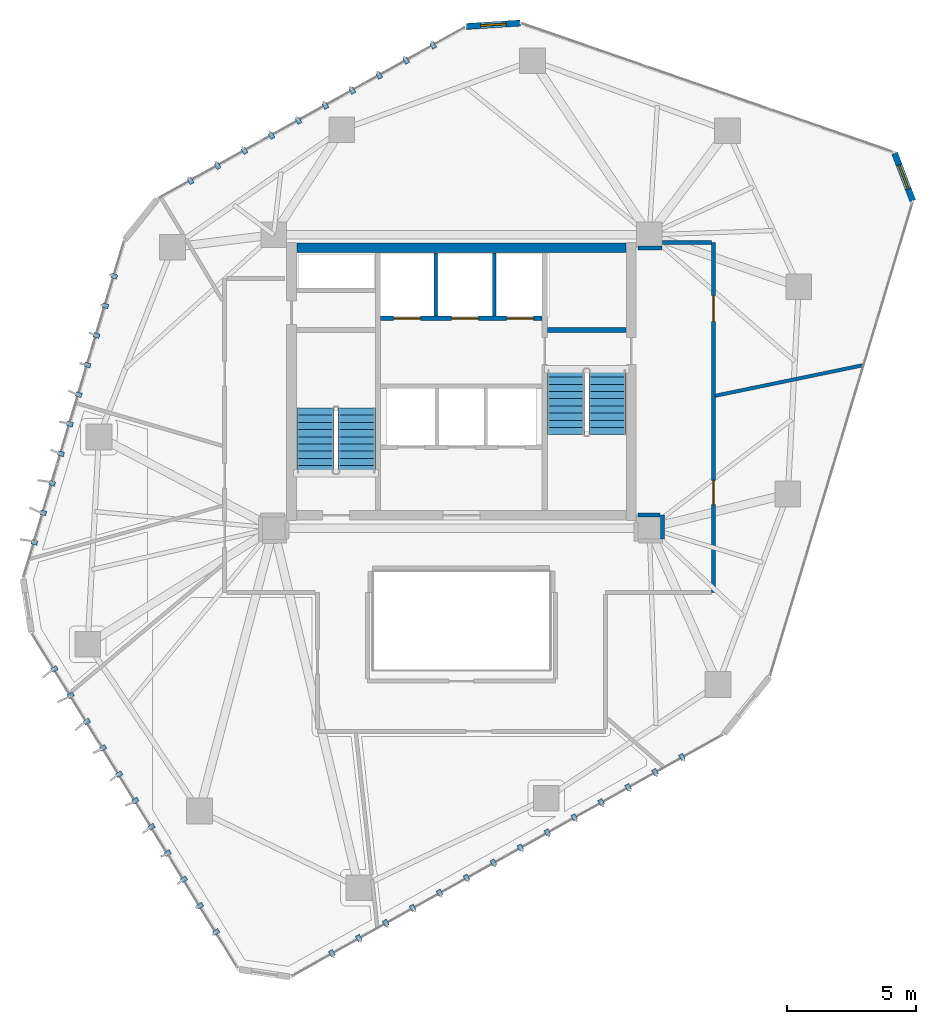
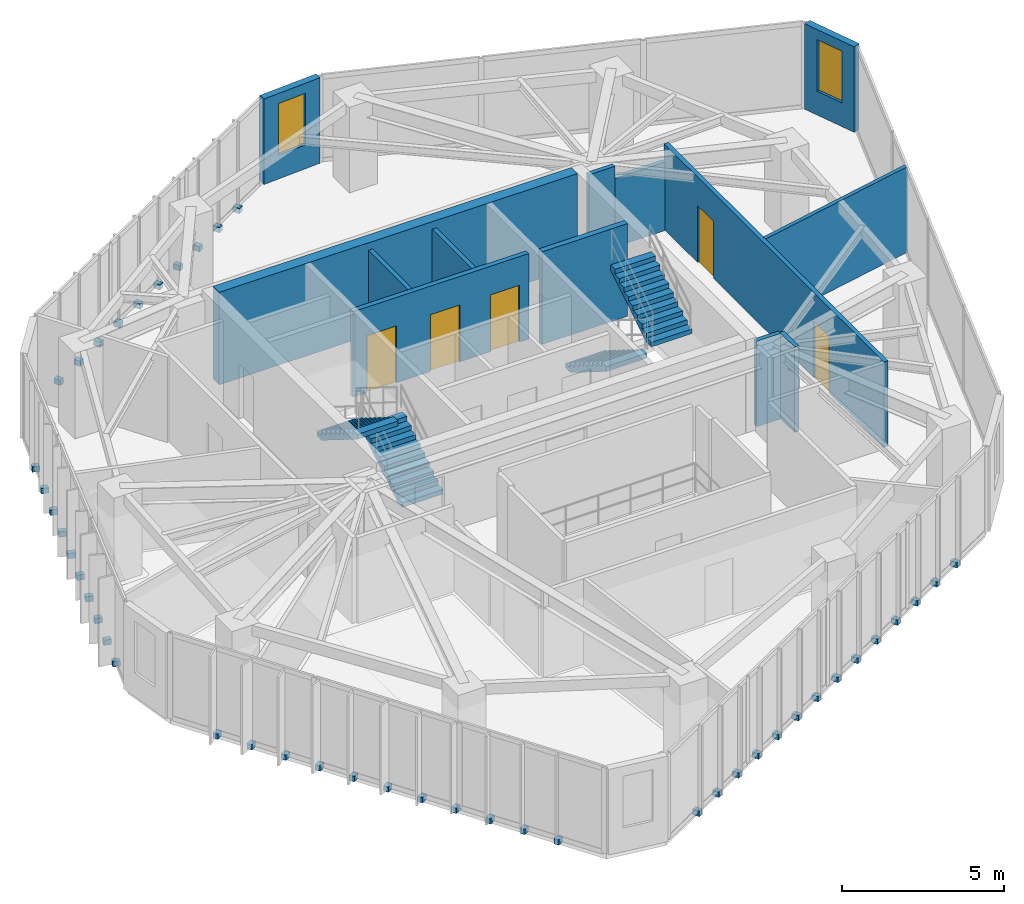
# One storey, part 17 of 19: 45 discrete accessories, 13 walls, 5 doors, 4 stair flights, 2 windows, 7 openings, 2 elements without a shape of their own.
"""IFC4 building model written with IfcOpenShell, lengths in metres."""

import ifcopenshell
import ifcopenshell.guid

model = None  # the IFC model being written
_history = None  # IfcOwnerHistory: only IFC2X3 demands one
_inside = {}  # id of a spatial element -> (the spatial element, [elements in it])
_under = {}  # id of a project, library or spatial element -> (it, [spatial elements below it])
_declared = {}  # id of a project -> (the project, [libraries it declares])
_typed = {}  # id of a type object -> (the type object, [elements of that type])
_made_of = {}  # id of a material, layer set ... -> (it, [elements and type objects made of it])


def new_model(schema):
    """Start an empty IFC model of exactly this schema.

    Asked for "IFC4X3", IfcOpenShell would pick the latest addendum, in which some entities
    have other attributes; the version numbers below select the first issue.
    IFC2X3 requires an IfcOwnerHistory on every rooted entity: one is made here for all.
    """
    global model, _history
    if schema == "IFC4X3":
        model = ifcopenshell.file(schema_version=(4, 3, 0, 0))
    else:
        model = ifcopenshell.file(schema=schema)
    _inside.clear()
    _under.clear()
    _declared.clear()
    _typed.clear()
    _made_of.clear()
    _history = None
    if model.schema == "IFC2X3":
        org = make("IfcOrganization", Name="unknown")
        user = make(
            "IfcPersonAndOrganization",
            ThePerson=make("IfcPerson", FamilyName="unknown"),
            TheOrganization=org,
        )
        app = make(
            "IfcApplication",
            ApplicationDeveloper=org,
            Version="unknown",
            ApplicationFullName="unknown",
            ApplicationIdentifier="unknown",
        )
        _history = make(
            "IfcOwnerHistory",
            OwningUser=user,
            OwningApplication=app,
            ChangeAction="ADDED",
            CreationDate=0,
        )
    return model


def make(cls, **values):
    """One entity of the class cls with the attributes given. An attribute that is None is left unset."""
    return model.create_entity(
        cls, **{name: value for name, value in values.items() if value is not None}
    )


def rooted(cls, **values):
    """An entity with a GlobalId (a new one), such as an element, a storey or a relation."""
    return make(cls, GlobalId=ifcopenshell.guid.new(), OwnerHistory=_history, **values)


def si_unit(unit_type, name, prefix=None):
    """IfcSIUnit, for example si_unit("LENGTHUNIT", "METRE", prefix="MILLI")."""
    return make("IfcSIUnit", UnitType=unit_type, Prefix=prefix, Name=name)


def assignment(units):
    """IfcUnitAssignment: the units of a project."""
    return None if units is None else make("IfcUnitAssignment", Units=units)


def point(xyz):
    """IfcCartesianPoint."""
    return None if xyz is None else make("IfcCartesianPoint", Coordinates=xyz)


def direction(xyz):
    """IfcDirection."""
    return None if xyz is None else make("IfcDirection", DirectionRatios=xyz)


def frame(location, z_axis=None, x_axis=None):
    """IfcAxis2Placement3D, a coordinate frame: its origin and axes. An axis left out is left unset."""
    return make(
        "IfcAxis2Placement3D",
        Location=point(location),
        Axis=direction(z_axis),
        RefDirection=direction(x_axis),
    )


def frame_2d(location, x_axis=None):
    """IfcAxis2Placement2D, a coordinate frame in the plane: its origin and x axis."""
    return make(
        "IfcAxis2Placement2D", Location=point(location), RefDirection=direction(x_axis)
    )


def origin():
    """The frame at (0, 0, 0) with its axes left unset."""
    return frame((0.0, 0.0, 0.0))


def origin_2d():
    """The frame at (0, 0) in the plane with its x axis left unset."""
    return frame_2d((0.0, 0.0))


def place(relative_to, where):
    """IfcLocalPlacement: puts the frame where relative to a parent placement (None: the world)."""
    return make(
        "IfcLocalPlacement", PlacementRelTo=relative_to, RelativePlacement=where
    )


def context(
    kind, dimensions, precision=None, world=None, true_north=None, identifier=None
):
    """IfcGeometricRepresentationContext, for example the 3D "Model" context."""
    return make(
        "IfcGeometricRepresentationContext",
        ContextIdentifier=identifier,
        ContextType=kind,
        CoordinateSpaceDimension=dimensions,
        Precision=precision,
        WorldCoordinateSystem=world,
        TrueNorth=true_north,
    )


def subcontext(parent, identifier, kind, view, scale=None):
    """IfcGeometricRepresentationSubContext, for example "Body" below "Model"."""
    return make(
        "IfcGeometricRepresentationSubContext",
        ContextIdentifier=identifier,
        ContextType=kind,
        ParentContext=parent,
        TargetScale=scale,
        TargetView=view,
    )


def project(units=None, contexts=None):
    """IfcProject with its units and contexts."""
    return rooted(
        "IfcProject",
        Name="project",
        RepresentationContexts=contexts,
        UnitsInContext=assignment(units),
    )


def spatial(cls, under=None, at=None, **own):
    """A site, building, storey or space (cls), placed at a placement, below another one or the project."""
    s = rooted(cls, ObjectPlacement=at, **own)
    if under is not None:
        _under.setdefault(under.id(), (under, []))[1].append(s)
    return s


def polyline(points):
    """IfcPolyline through the points."""
    return make("IfcPolyline", Points=[point(p) for p in points])


def profile(cls, at=None, kind="AREA", **sizes):
    """A parametric profile (cls). Its sizes go by their IFC names, for example OverallWidth=200.0."""
    return make(cls, ProfileType=kind, Position=at, **sizes)


def rectangle(**sizes):
    """IfcRectangleProfileDef."""
    return profile("IfcRectangleProfileDef", **sizes)


def outline(outer, holes=None, kind="AREA"):
    """IfcArbitraryClosedProfileDef: a profile drawn as a closed curve; with holes, ...WithVoids."""
    if holes is None:
        return make("IfcArbitraryClosedProfileDef", ProfileType=kind, OuterCurve=outer)
    return make(
        "IfcArbitraryProfileDefWithVoids",
        ProfileType=kind,
        OuterCurve=outer,
        InnerCurves=holes,
    )


def extrude(swept, where, along, depth):
    """IfcExtrudedAreaSolid: the profile swept, set in the frame where, extruded along a direction by depth."""
    return make(
        "IfcExtrudedAreaSolid",
        SweptArea=swept,
        Position=where,
        ExtrudedDirection=direction(along),
        Depth=depth,
    )


def shape(context_of_items, identifier, shape_type, items):
    """IfcShapeRepresentation: the items that make up one representation, for example the "Body"."""
    return make(
        "IfcShapeRepresentation",
        ContextOfItems=context_of_items,
        RepresentationIdentifier=identifier,
        RepresentationType=shape_type,
        Items=items,
    )


def source(mapping_origin, context_of_items, identifier, shape_type, items):
    """IfcRepresentationMap: a shape defined once, which mapped items show again and again."""
    return make(
        "IfcRepresentationMap",
        MappingOrigin=mapping_origin,
        MappedRepresentation=shape(context_of_items, identifier, shape_type, items),
    )


def transform(
    local_origin,
    x_axis=None,
    y_axis=None,
    z_axis=None,
    scale=None,
    scale2=None,
    scale3=None,
    uniform=True,
):
    """IfcCartesianTransformationOperator3D, or its non-uniform kind. x_axis, y_axis, z_axis: its Axis1, 2, 3."""
    if uniform:
        return make(
            "IfcCartesianTransformationOperator3D",
            Axis1=direction(x_axis),
            Axis2=direction(y_axis),
            LocalOrigin=point(local_origin),
            Scale=scale,
            Axis3=direction(z_axis),
        )
    return make(
        "IfcCartesianTransformationOperator3DnonUniform",
        Axis1=direction(x_axis),
        Axis2=direction(y_axis),
        LocalOrigin=point(local_origin),
        Scale=scale,
        Axis3=direction(z_axis),
        Scale2=scale2,
        Scale3=scale3,
    )


def mapped(mapping_source, mapping_target):
    """IfcMappedItem: shows the shape of a source again, moved by a transform."""
    return make(
        "IfcMappedItem", MappingSource=mapping_source, MappingTarget=mapping_target
    )


def material(Name=None, Category=None):
    """IfcMaterial."""
    return make("IfcMaterial", Name=Name, Category=Category)


def layer(
    of_material, thickness, ventilated=None, Name=None, Category=None, Priority=None
):
    """IfcMaterialLayer: one layer of a wall or slab, of a material (None: an air gap)."""
    return make(
        "IfcMaterialLayer",
        Material=of_material,
        LayerThickness=thickness,
        IsVentilated=ventilated,
        Name=Name,
        Category=Category,
        Priority=Priority,
    )


def layer_set(layers, Name=None):
    """IfcMaterialLayerSet."""
    return make("IfcMaterialLayerSet", MaterialLayers=layers, LayerSetName=Name)


def made_of(thing, what):
    """Note that an element or type object is made of a material, layer set ...; save() writes the relation."""
    if what is not None:
        _made_of.setdefault(what.id(), (what, []))[1].append(thing)
    return thing


def type_object(cls, material=None, **own):
    """A type object (cls), such as IfcWallType, which elements share."""
    return made_of(rooted(cls, **own), material)


def type_shapes(of_type, sources):
    """Give a type object the sources (RepresentationMaps) that its elements show as mapped items."""
    of_type.RepresentationMaps = sources


def element(
    cls,
    number,
    at=None,
    inside=None,
    cuts=None,
    type_object=None,
    material=None,
    context=None,
    identifier="Body",
    shape_type=None,
    held_by="IfcProductDefinitionShape",
    body=None,
    shapes=None,
    **own,
):
    """One element of the class cls, such as IfcWall. Its Tag is "e" and its number.

    at: its placement. inside: the storey or other place that contains it. cuts: it is an
    opening in that element (IfcRelVoidsElement). A single representation is given by context,
    identifier, shape_type and body (its items); several are given by shapes. held_by: the class
    of the entity that holds the representations. save() writes the other relations.
    """
    e = rooted(cls, Tag="e%d" % number, ObjectPlacement=at, **own)
    if body is not None:
        shapes = [shape(context, identifier, shape_type, body)]
    if shapes is not None:
        e.Representation = make(held_by, Representations=shapes)
    if inside is not None:
        _inside.setdefault(inside.id(), (inside, []))[1].append(e)
    if cuts is not None:
        rooted(
            "IfcRelVoidsElement", RelatingBuildingElement=cuts, RelatedOpeningElement=e
        )
    if type_object is not None:
        _typed.setdefault(type_object.id(), (type_object, []))[1].append(e)
    return made_of(e, material)


def fill(opening, filler):
    """IfcRelFillsElement: the door or window that sits in an opening."""
    return rooted(
        "IfcRelFillsElement",
        RelatingOpeningElement=opening,
        RelatedBuildingElement=filler,
    )


def aggregate(whole, parts):
    """IfcRelAggregates: a whole, such as a stair, and the parts it consists of."""
    return rooted("IfcRelAggregates", RelatingObject=whole, RelatedObjects=parts)


def save(model, path):
    """Write the relations noted so far, then the file.

    IfcRelAggregates (storeys below a building ...), IfcRelContainedInSpatialStructure (elements
    in a storey), IfcRelDefinesByType, IfcRelAssociatesMaterial and IfcRelDeclares: one each for
    every whole, place, type object, material and project.
    """
    for whole, parts in _under.values():
        aggregate(whole, parts)
    for where, things in _inside.values():
        rooted(
            "IfcRelContainedInSpatialStructure",
            RelatedElements=things,
            RelatingStructure=where,
        )
    for kind, things in _typed.values():
        rooted("IfcRelDefinesByType", RelatedObjects=things, RelatingType=kind)
    for what, things in _made_of.values():
        rooted("IfcRelAssociatesMaterial", RelatedObjects=things, RelatingMaterial=what)
    for by, libraries in _declared.values():
        rooted("IfcRelDeclares", RelatingContext=by, RelatedDefinitions=libraries)
    model.write(path)


model = new_model("IFC4")

# Units and contexts
model_context = context("Model", 3, precision=1e-05, world=origin(), true_north=direction((0.0, 1.0)))
body_context = subcontext(model_context, "Body", "Model", "MODEL_VIEW")
ifc_project = project(units=[si_unit("LENGTHUNIT", "METRE"), si_unit("AREAUNIT", "SQUARE_METRE"), si_unit("VOLUMEUNIT", "CUBIC_METRE"), si_unit("PLANEANGLEUNIT", "RADIAN"), si_unit("MASSUNIT", "GRAM", prefix="KILO")], contexts=[model_context])

# Site, building, storey
site_placement = place(None, origin())
site = spatial("IfcSite", under=ifc_project, at=site_placement, CompositionType="ELEMENT")
building_placement = place(site_placement, origin())
building = spatial("IfcBuilding", under=site, at=building_placement, Name="Talar Marvaseh", CompositionType="ELEMENT")
storey_placement = place(building_placement, frame((0.0, 0.0, 177.5)))
storey = spatial("IfcBuildingStorey", under=building, at=storey_placement, Name="L46", CompositionType="ELEMENT", Elevation=177.5)

# Wall, opening, window
ifc_material_1 = material(Name="Precast concrete C45/55", Category="concrete")
ifc_layer_1 = layer(ifc_material_1, 0.239990234375)
ifc_layer_set_1 = layer_set([ifc_layer_1], Name="Precast concrete C45/55")
wall_type_1 = type_object("IfcWallType", Name="Chamfered Hexagonal Corner Pier Wall Z3 240", PredefinedType="SOLIDWALL", material=ifc_layer_set_1)
wall_1_placement = place(storey_placement, frame((26.199951171875, 44.998046875, 0.0), z_axis=(0.0, 0.0, 1.0), x_axis=(0.997998072674, 0.063244343132, 0.0)))
wall_1 = element("IfcWall", 1, at=wall_1_placement, inside=storey, type_object=wall_type_1, Name="L46 Chamfered Corner Limestone Pier 4", PredefinedType="SOLIDWALL", context=body_context, shape_type="SweptSolid", body=[
    extrude(rectangle(XDim=2.08837890625, YDim=0.239990234375, at=frame_2d((1.044189453125, 0.0))), origin(), (0.0, 0.0, 1.0), 3.22998046875),
])
opening_1_placement = place(wall_1_placement, frame((0.5439453125, 0.0, 0.89990234375)))
opening_1 = element("IfcOpeningElement", 2, at=opening_1_placement, cuts=wall_1, Name="Opening WN-CHM10", PredefinedType="OPENING", context=body_context, shape_type="SweptSolid", body=[
    extrude(rectangle(XDim=1.0, YDim=1.949951171875, at=frame_2d((0.5, 0.97509765625))), frame((0.0, 0.1298828125, 0.0), z_axis=(0.0, -1.0, 0.0), x_axis=(1.0, 0.0, 0.0)), (0.0, 0.0, 1.0), 0.260009765625),
])
ifc_material_2 = material(Name="Laminated Low-E Solar Glass", Category="glass")
window_type = type_object("IfcWindowType", Name="Zone 3 Chamfered Corner Slot Window 1000x1950", PartitioningType="SINGLE_PANEL", PredefinedType="WINDOW", material=ifc_material_2)
shared_shape_1 = source(origin(), body_context, "Body", "SweptSolid", [
    extrude(rectangle(XDim=1.0, YDim=1.949951171875, at=frame_2d((0.5, 0.97509765625))), frame((0.0, 0.030029296875, 0.0), z_axis=(0.0, -1.0, 0.0), x_axis=(1.0, 0.0, 0.0)), (0.0, 0.0, 1.0), 0.06005859375),
])
type_shapes(window_type, [shared_shape_1])
window_1_placement = place(opening_1_placement, origin())
window_1 = element("IfcWindow", 3, at=window_1_placement, inside=storey, type_object=window_type, Name="L46 Chamfered Corner Slot Window", OverallHeight=1.949951171875, OverallWidth=1.0, PartitioningType="SINGLE_PANEL", PredefinedType="WINDOW", context=body_context, shape_type="MappedRepresentation", body=[
    mapped(shared_shape_1, transform((0.0, 0.0, 0.0), x_axis=(1.0, 0.0, 0.0), y_axis=(0.0, 1.0, 0.0), z_axis=(0.0, 0.0, 1.0), scale=1.0)),
])
fill(opening_1, window_1)

wall_2_placement = place(storey_placement, frame((42.839111328125, 40.0732421875, 0.0), z_axis=(0.0, 0.0, 1.0), x_axis=(0.355502502351, -0.934675329097, 0.0)))
wall_2 = element("IfcWall", 4, at=wall_2_placement, inside=storey, type_object=wall_type_1, Name="L46 Chamfered Corner Limestone Pier 5", PredefinedType="SOLIDWALL", context=body_context, shape_type="SweptSolid", body=[
    extrude(rectangle(XDim=1.977783203125, YDim=0.239990234375, at=frame_2d((0.98876953125, 0.0))), origin(), (0.0, 0.0, 1.0), 3.22998046875),
])
opening_2_placement = place(wall_2_placement, frame((0.489013671875, 0.0, 0.89990234375)))
opening_2 = element("IfcOpeningElement", 5, at=opening_2_placement, cuts=wall_2, Name="Opening WN-CHM10", PredefinedType="OPENING", context=body_context, shape_type="SweptSolid", body=[
    extrude(rectangle(XDim=1.0, YDim=1.949951171875, at=frame_2d((0.5, 0.97509765625))), frame((0.0, 0.1298828125, 0.0), z_axis=(0.0, -1.0, 0.0), x_axis=(1.0, 0.0, 0.0)), (0.0, 0.0, 1.0), 0.260009765625),
])
window_2_placement = place(opening_2_placement, origin())
window_2 = element("IfcWindow", 6, at=window_2_placement, inside=storey, type_object=window_type, Name="L46 Chamfered Corner Slot Window", OverallHeight=1.949951171875, OverallWidth=1.0, PartitioningType="SINGLE_PANEL", PredefinedType="WINDOW", context=body_context, shape_type="MappedRepresentation", body=[
    mapped(shared_shape_1, transform((0.0, 0.0, 0.0), x_axis=(1.0, 0.0, 0.0), y_axis=(0.0, 1.0, 0.0), z_axis=(0.0, 0.0, 1.0), scale=1.0)),
])
fill(opening_2, window_2)

# Wall, openings, doors
ifc_material_3 = material(Name="Gypsum Board Partition Assembly")
ifc_layer_2 = layer(ifc_material_3, 0.155029296875)
ifc_layer_set_2 = layer_set([ifc_layer_2], Name="Gypsum Board Partition Assembly")
wall_type_2 = type_object("IfcWallType", Name="Corridor Fire-Rated Acoustic Partition 155", PredefinedType="PARTITIONING", material=ifc_layer_set_2)
wall_3_placement = place(storey_placement, frame((35.800048828125, 36.60009765625, 0.0), z_axis=(0.0, 0.0, 1.0), x_axis=(0.0, -1.0, 0.0)))
wall_3 = element("IfcWall", 7, at=wall_3_placement, inside=storey, type_object=wall_type_2, Name="L46 Interior Partition Wall", PredefinedType="PARTITIONING", context=body_context, shape_type="SweptSolid", body=[
    extrude(rectangle(XDim=13.60009765625, YDim=0.155029296875, at=frame_2d((6.800048828125, 0.0))), origin(), (0.0, 0.0, 1.0), 3.22998046875),
])
opening_3_placement = place(wall_3_placement, frame((9.24072265625, 0.0, 0.0)))
opening_3 = element("IfcOpeningElement", 8, at=opening_3_placement, cuts=wall_3, Name="Opening DR-WC095", PredefinedType="OPENING", context=body_context, shape_type="SweptSolid", body=[
    extrude(rectangle(XDim=0.949951171875, YDim=2.14990234375, at=frame_2d((0.47509765625, 1.074951171875))), frame((0.0, 0.08740234375, 0.0), z_axis=(0.0, -1.0, 0.0), x_axis=(1.0, 0.0, 0.0)), (0.0, 0.0, 1.0), 0.175048828125),
])
opening_4_placement = place(wall_3_placement, frame((2.068115234375, 0.0, 0.0)))
opening_4 = element("IfcOpeningElement", 9, at=opening_4_placement, cuts=wall_3, Name="Opening DR-RM100", PredefinedType="OPENING", context=body_context, shape_type="SweptSolid", body=[
    extrude(rectangle(XDim=1.0, YDim=2.14990234375, at=frame_2d((0.5, 1.074951171875))), frame((0.0, 0.08740234375, 0.0), z_axis=(0.0, -1.0, 0.0), x_axis=(1.0, 0.0, 0.0)), (0.0, 0.0, 1.0), 0.175048828125),
])
ifc_material_4 = material(Name="Acoustic Engineered Oak Timber", Category="wood")
door_type_1 = type_object("IfcDoorType", Name="Washroom and Service Room Door 950x2150", OperationType="NOTDEFINED", PredefinedType="DOOR", material=ifc_material_4)
shared_shape_2 = source(origin(), body_context, "Body", "SweptSolid", [
    extrude(rectangle(XDim=0.949951171875, YDim=2.14990234375, at=frame_2d((0.47509765625, 1.074951171875))), frame((0.0, 0.02490234375, 0.0), z_axis=(0.0, -1.0, 0.0), x_axis=(1.0, 0.0, 0.0)), (0.0, 0.0, 1.0), 0.050048828125),
])
type_shapes(door_type_1, [shared_shape_2])
door_1_placement = place(opening_3_placement, origin())
door_1 = element("IfcDoor", 10, at=door_1_placement, inside=storey, type_object=door_type_1, Name="L46 Collection Conservation Store Door", OperationType="SINGLE_SWING_RIGHT", OverallHeight=2.14990234375, OverallWidth=0.949951171875, PredefinedType="DOOR", context=body_context, shape_type="MappedRepresentation", body=[
    mapped(shared_shape_2, transform((0.0, 0.0, 0.0), x_axis=(1.0, 0.0, 0.0), y_axis=(0.0, 1.0, 0.0), z_axis=(0.0, 0.0, 1.0), scale=1.0)),
])
fill(opening_3, door_1)
door_type_2 = type_object("IfcDoorType", Name="Corridor Fire-Rated Gallery Door 1000x2150", OperationType="NOTDEFINED", PredefinedType="DOOR", material=ifc_material_4)
shared_shape_3 = source(origin(), body_context, "Body", "SweptSolid", [
    extrude(rectangle(XDim=1.0, YDim=2.14990234375, at=frame_2d((0.5, 1.074951171875))), frame((0.0, 0.02490234375, 0.0), z_axis=(0.0, -1.0, 0.0), x_axis=(1.0, 0.0, 0.0)), (0.0, 0.0, 1.0), 0.050048828125),
])
type_shapes(door_type_2, [shared_shape_3])
door_2_placement = place(opening_4_placement, origin())
door_2 = element("IfcDoor", 11, at=door_2_placement, inside=storey, type_object=door_type_2, Name="L46 Conservation Briefing Room Door", OperationType="SINGLE_SWING_LEFT", OverallHeight=2.14990234375, OverallWidth=1.0, PredefinedType="DOOR", context=body_context, shape_type="MappedRepresentation", body=[
    mapped(shared_shape_3, transform((0.0, 0.0, 0.0), x_axis=(1.0, 0.0, 0.0), y_axis=(0.0, 1.0, 0.0), z_axis=(0.0, 0.0, 1.0), scale=1.0)),
])
fill(opening_4, door_2)

# Walls
wall_4_placement = place(storey_placement, frame((33.814697265625, 25.08349609375, 0.0), z_axis=(0.0, 0.0, 1.0), x_axis=(-0.004477173984, 0.999989977406, 0.0)))
element("IfcWall", 12, at=wall_4_placement, inside=storey, type_object=wall_type_2, Name="L46 Interior Partition Wall", PredefinedType="PARTITIONING", context=body_context, shape_type="SweptSolid", body=[
    extrude(rectangle(XDim=0.927001953125, YDim=0.155029296875, at=frame_2d((0.46337890625, 0.0))), origin(), (0.0, 0.0, 1.0), 3.22998046875),
])
wall_5_placement = place(storey_placement, frame((33.72705078125, 26.010986328125, 0.0), z_axis=(0.0, 0.0, 1.0), x_axis=(-0.999990868706, 0.004273465251, 0.0)))
element("IfcWall", 13, at=wall_5_placement, inside=storey, type_object=wall_type_2, Name="L46 Interior Partition Wall", PredefinedType="PARTITIONING", context=body_context, shape_type="SweptSolid", body=[
    extrude(rectangle(XDim=0.85693359375, YDim=0.155029296875, at=frame_2d((0.428466796875, 0.0))), origin(), (0.0, 0.0, 1.0), 3.22998046875),
])
wall_6_placement = place(storey_placement, frame((32.8701171875, 36.385009765625, 0.0), z_axis=(0.0, 0.0, 1.0), x_axis=(0.999999965754, 0.000261711585, 0.0)))
element("IfcWall", 14, at=wall_6_placement, inside=storey, type_object=wall_type_2, Name="L46 Interior Partition Wall", PredefinedType="PARTITIONING", context=body_context, shape_type="SweptSolid", body=[
    extrude(rectangle(XDim=0.932861328125, YDim=0.155029296875, at=frame_2d((0.46630859375, 0.0))), origin(), (0.0, 0.0, 1.0), 3.22998046875),
])
wall_7_placement = place(storey_placement, frame((33.81494140625, 36.60009765625, 0.0), z_axis=(0.0, 0.0, 1.0), x_axis=(1.0, 0.0, 0.0)))
element("IfcWall", 15, at=wall_7_placement, inside=storey, type_object=wall_type_2, Name="L46 Interior Partition Wall", PredefinedType="PARTITIONING", context=body_context, shape_type="SweptSolid", body=[
    extrude(rectangle(XDim=1.901611328125, YDim=0.155029296875, at=frame_2d((0.95068359375, 0.0))), origin(), (0.0, 0.0, 1.0), 2.589111328125),
])
ifc_layer_3 = layer(ifc_material_1, 0.14501953125)
ifc_layer_set_3 = layer_set([ifc_layer_3], Name="Precast concrete C45/55")
wall_type_3 = type_object("IfcWallType", Name="Fire-Rated Lift Divider Wall 145", PredefinedType="SOLIDWALL", material=ifc_layer_set_3)
for number, where, z_axis, x_axis, name in (
    (16, (25.0, 33.743408203125, 0.0), (0.0, 0.0, 1.0), (0.0, 1.0, 0.0), "L46 FFL-1/FFL-2 Divider"),
    (17, (27.280029296875, 33.743408203125, 0.0), (0.0, 0.0, 1.0), (0.0, 1.0, 0.0), "L46 FFL-2/SVL-1 Divider"),
):
    element("IfcWall", number, at=place(storey_placement, frame(where, z_axis=z_axis, x_axis=x_axis)), inside=storey, type_object=wall_type_3, Name=name, PredefinedType="SOLIDWALL", context=body_context, shape_type="SweptSolid", body=[
        extrude(rectangle(XDim=2.45654296875, YDim=0.14501953125, at=frame_2d((1.228271484375, 0.0))), origin(), (0.0, 0.0, 1.0), 3.22998046875),
    ])

# Wall, openings, doors
ifc_layer_4 = layer(ifc_material_1, 0.175048828125)
ifc_layer_set_4 = layer_set([ifc_layer_4], Name="Precast concrete C45/55")
wall_type_4 = type_object("IfcWallType", Name="Fire-Rated Lift Hoistway Enclosure Wall 175", PredefinedType="SOLIDWALL", material=ifc_layer_set_4)
wall_8_placement = place(storey_placement, frame((22.860107421875, 33.64990234375, 0.0), z_axis=(0.0, 0.0, 1.0), x_axis=(1.0, 0.0, 0.0)))
wall_8 = element("IfcWall", 18, at=wall_8_placement, inside=storey, type_object=wall_type_4, Name="L46 Firefighting and Service Lift Front Wall", PredefinedType="SOLIDWALL", context=body_context, shape_type="SweptSolid", body=[
    extrude(rectangle(XDim=6.27978515625, YDim=0.175048828125, at=frame_2d((3.139892578125, 0.0))), origin(), (0.0, 0.0, 1.0), 3.22998046875),
])
opening_5_placement = place(wall_8_placement, frame((0.5, 0.0, 0.0)))
opening_5 = element("IfcOpeningElement", 19, at=opening_5_placement, cuts=wall_8, Name="Opening LD-FF1", PredefinedType="OPENING", context=body_context, shape_type="SweptSolid", body=[
    extrude(rectangle(XDim=1.050048828125, YDim=2.14990234375, at=frame_2d((0.52490234375, 1.074951171875))), frame((0.0, 0.09765625, 0.0), z_axis=(0.0, -1.0, 0.0), x_axis=(1.0, 0.0, 0.0)), (0.0, 0.0, 1.0), 0.195068359375),
])
opening_6_placement = place(wall_8_placement, frame((2.760009765625, 0.0, 0.0)))
opening_6 = element("IfcOpeningElement", 20, at=opening_6_placement, cuts=wall_8, Name="Opening LD-FF2", PredefinedType="OPENING", context=body_context, shape_type="SweptSolid", body=[
    extrude(rectangle(XDim=1.050048828125, YDim=2.14990234375, at=frame_2d((0.52490234375, 1.074951171875))), frame((0.0, 0.09765625, 0.0), z_axis=(0.0, -1.0, 0.0), x_axis=(1.0, 0.0, 0.0)), (0.0, 0.0, 1.0), 0.195068359375),
])
opening_7_placement = place(wall_8_placement, frame((4.89990234375, 0.0, 0.0)))
opening_7 = element("IfcOpeningElement", 21, at=opening_7_placement, cuts=wall_8, Name="Opening LD-SV1", PredefinedType="OPENING", context=body_context, shape_type="SweptSolid", body=[
    extrude(rectangle(XDim=1.050048828125, YDim=2.14990234375, at=frame_2d((0.52490234375, 1.074951171875))), frame((0.0, 0.09765625, 0.0), z_axis=(0.0, -1.0, 0.0), x_axis=(1.0, 0.0, 0.0)), (0.0, 0.0, 1.0), 0.195068359375),
])
ifc_material_5 = material(Name="Stainless Steel Grade 316", Category="steel")
door_type_3 = type_object("IfcDoorType", Name="Automatic Sliding Lift Landing Door 1050x2150", OperationType="NOTDEFINED", PredefinedType="DOOR", material=ifc_material_5)
shared_shape_4 = source(origin(), body_context, "Body", "SweptSolid", [
    extrude(rectangle(XDim=1.050048828125, YDim=2.14990234375, at=frame_2d((0.52490234375, 1.074951171875))), frame((0.0, 0.02490234375, 0.0), z_axis=(0.0, -1.0, 0.0), x_axis=(1.0, 0.0, 0.0)), (0.0, 0.0, 1.0), 0.050048828125),
])
type_shapes(door_type_3, [shared_shape_4])
door_3_placement = place(opening_5_placement, origin())
door_3 = element("IfcDoor", 22, at=door_3_placement, inside=storey, type_object=door_type_3, Name="L46 Lift FFL-1 Sliding Landing Door", OperationType="SLIDING_TO_LEFT", OverallHeight=2.14990234375, OverallWidth=1.050048828125, PredefinedType="DOOR", context=body_context, shape_type="MappedRepresentation", body=[
    mapped(shared_shape_4, transform((0.0, 0.0, 0.0), x_axis=(1.0, 0.0, 0.0), y_axis=(0.0, 1.0, 0.0), z_axis=(0.0, 0.0, 1.0), scale=1.0)),
])
fill(opening_5, door_3)
door_4_placement = place(opening_6_placement, origin())
door_4 = element("IfcDoor", 23, at=door_4_placement, inside=storey, type_object=door_type_3, Name="L46 Lift FFL-2 Sliding Landing Door", OperationType="SLIDING_TO_LEFT", OverallHeight=2.14990234375, OverallWidth=1.050048828125, PredefinedType="DOOR", context=body_context, shape_type="MappedRepresentation", body=[
    mapped(shared_shape_4, transform((0.0, 0.0, 0.0), x_axis=(1.0, 0.0, 0.0), y_axis=(0.0, 1.0, 0.0), z_axis=(0.0, 0.0, 1.0), scale=1.0)),
])
fill(opening_6, door_4)
door_5_placement = place(opening_7_placement, origin())
door_5 = element("IfcDoor", 24, at=door_5_placement, inside=storey, type_object=door_type_3, Name="L46 Lift SVL-1 Sliding Landing Door", OperationType="SLIDING_TO_LEFT", OverallHeight=2.14990234375, OverallWidth=1.050048828125, PredefinedType="DOOR", context=body_context, shape_type="MappedRepresentation", body=[
    mapped(shared_shape_4, transform((0.0, 0.0, 0.0), x_axis=(1.0, 0.0, 0.0), y_axis=(0.0, 1.0, 0.0), z_axis=(0.0, 0.0, 1.0), scale=1.0)),
])
fill(opening_7, door_5)

# Walls
ifc_layer_5 = layer(ifc_material_3, 0.135009765625)
ifc_layer_set_5 = layer_set([ifc_layer_5], Name="Gypsum Board Partition Assembly")
wall_type_5 = type_object("IfcWallType", Name="Gallery High-Acoustic Partition 135", PredefinedType="PARTITIONING", material=ifc_layer_set_5)
wall_9_placement = place(storey_placement, frame((35.86376953125, 30.643310546875, 0.0), z_axis=(0.0, 0.0, 1.0), x_axis=(0.979285474981, 0.202484464815, 0.0)))
element("IfcWall", 25, at=wall_9_placement, inside=storey, type_object=wall_type_5, Name="L46 Interior Partition Wall", PredefinedType="PARTITIONING", context=body_context, shape_type="SweptSolid", body=[
    extrude(rectangle(XDim=5.86474609375, YDim=0.135009765625, at=frame_2d((2.932373046875, 0.0))), origin(), (0.0, 0.0, 1.0), 3.22998046875),
])
ifc_material_6 = material(Name="Concrete C60/75", Category="concrete")
ifc_layer_6 = layer(ifc_material_6, 0.3798828125)
ifc_layer_set_6 = layer_set([ifc_layer_6], Name="Concrete C60/75")
wall_type_6 = type_object("IfcWallType", Name="Mid Core Reinforced Concrete Shear Wall 380", PredefinedType="SHEAR", material=ifc_layer_set_6)
wall_10_placement = place(storey_placement, frame((19.60009765625, 36.39990234375, 0.0), z_axis=(0.0, 0.0, 1.0), x_axis=(1.0, 0.0, 0.0)))
element("IfcWall", 26, at=wall_10_placement, inside=storey, type_object=wall_type_6, Name="L46 North Core Shear Wall", PredefinedType="SHEAR", context=body_context, shape_type="SweptSolid", body=[
    extrude(rectangle(XDim=12.7998046875, YDim=0.3798828125, at=frame_2d((6.39990234375, 0.0))), origin(), (0.0, 0.0, 1.0), 3.5),
])
ifc_material_7 = material(Name="Concrete C50/60", Category="concrete")
ifc_layer_7 = layer(ifc_material_7, 0.199951171875)
ifc_layer_set_7 = layer_set([ifc_layer_7], Name="Concrete C50/60")
wall_type_7 = type_object("IfcWallType", Name="Stair Shaft Structural Concrete Shear Wall 200", PredefinedType="SHEAR", material=ifc_layer_set_7)
wall_11_placement = place(storey_placement, frame((29.340087890625, 33.199951171875, 0.0), z_axis=(0.0, 0.0, 1.0), x_axis=(1.0, 0.0, 0.0)))
element("IfcWall", 27, at=wall_11_placement, inside=storey, type_object=wall_type_7, Name="L46 Stair ST-2 North Shear Wall", PredefinedType="SHEAR", context=body_context, shape_type="SweptSolid", body=[
    extrude(rectangle(XDim=3.059814453125, YDim=0.199951171875, at=frame_2d((1.52978515625, 0.0))), origin(), (0.0, 0.0, 1.0), 3.5),
])

# Stair, stair flights
ifc_material_8 = material(Name="Concrete C40/50", Category="concrete")
stair_type = type_object("IfcStairType", Name="Reinforced Concrete High-Rise Exit Stair Type C", PredefinedType="HALF_TURN_STAIR", material=ifc_material_8)
stair_1_placement = place(storey_placement, origin())
stair_1 = element("IfcStair", 28, at=stair_1_placement, inside=storey, type_object=stair_type, Name="L46 Tower West Core Exit Stair", PredefinedType="HALF_TURN_STAIR")
ifc_layer_8 = layer(ifc_material_8, 0.159912109375)
ifc_layer_set_8 = layer_set([ifc_layer_8], Name="Concrete C40/50")
stair_flight_type = type_object("IfcStairFlightType", Name="Reinforced Concrete Straight Stair Flight 160", PredefinedType="STRAIGHT", material=ifc_layer_set_8)
stair_flight_1_placement = place(storey_placement, frame((21.93505859375, 27.64990234375, 0.0), z_axis=(0.0, 0.0, 1.0), x_axis=(0.0, 1.0, 0.0)))
stair_flight_1 = element("IfcStairFlight", 29, at=stair_flight_1_placement, type_object=stair_flight_type, Name="ST-1 flight 1", NumberOfRisers=10, NumberOfTreads=9, PredefinedType="STRAIGHT", RiserHeight=0.175, TreadLength=0.28, context=body_context, shape_type="SweptSolid", body=[
    extrude(outline(polyline([(0.0, 0.0), (0.0, 0.175048828125), (0.280029296875, 0.175048828125), (0.280029296875, 0.35009765625), (0.56005859375, 0.35009765625), (0.56005859375, 0.52490234375), (0.840087890625, 0.52490234375), (0.840087890625, 0.699951171875), (1.1201171875, 0.699951171875), (1.1201171875, 0.875), (1.39990234375, 0.875), (1.39990234375, 1.050048828125), (1.679931640625, 1.050048828125), (1.679931640625, 1.22509765625), (1.9599609375, 1.22509765625), (1.9599609375, 1.39990234375), (2.239990234375, 1.39990234375), (2.239990234375, 1.574951171875), (2.52001953125, 1.574951171875), (2.52001953125, 1.75), (2.52001953125, 1.386474609375), (0.3017578125, 0.0), (0.0, 0.0)])), frame((0.0, 0.72509765625, 0.0), z_axis=(0.0, -1.0, 0.0), x_axis=(1.0, 0.0, 0.0)), (0.0, 0.0, 1.0), 1.449951171875),
])
stair_flight_2_placement = place(storey_placement, frame((20.324951171875, 30.169921875, 1.75), z_axis=(0.0, 0.0, 1.0), x_axis=(0.0, -1.0, 0.0)))
stair_flight_2 = element("IfcStairFlight", 30, at=stair_flight_2_placement, type_object=stair_flight_type, Name="ST-1 flight 2", NumberOfRisers=10, NumberOfTreads=9, PredefinedType="STRAIGHT", RiserHeight=0.175, TreadLength=0.28, context=body_context, shape_type="SweptSolid", body=[
    extrude(outline(polyline([(0.0, 0.0), (0.0, 0.175048828125), (0.280029296875, 0.175048828125), (0.280029296875, 0.35009765625), (0.56005859375, 0.35009765625), (0.56005859375, 0.52490234375), (0.840087890625, 0.52490234375), (0.840087890625, 0.699951171875), (1.1201171875, 0.699951171875), (1.1201171875, 0.875), (1.39990234375, 0.875), (1.39990234375, 1.050048828125), (1.679931640625, 1.050048828125), (1.679931640625, 1.22509765625), (1.9599609375, 1.22509765625), (1.9599609375, 1.39990234375), (2.239990234375, 1.39990234375), (2.239990234375, 1.574951171875), (2.52001953125, 1.574951171875), (2.52001953125, 1.75), (2.52001953125, 1.386474609375), (0.3017578125, 0.0), (0.0, 0.0)])), frame((0.0, 0.72509765625, 0.0), z_axis=(0.0, -1.0, 0.0), x_axis=(1.0, 0.0, 0.0)), (0.0, 0.0, 1.0), 1.449951171875),
])
aggregate(stair_1, [stair_flight_1, stair_flight_2])

stair_2_placement = place(storey_placement, origin())
stair_2 = element("IfcStair", 31, at=stair_2_placement, inside=storey, type_object=stair_type, Name="L46 Tower East Core Exit Stair", PredefinedType="HALF_TURN_STAIR")
stair_flight_3_placement = place(storey_placement, frame((30.06494140625, 31.64990234375, 0.0), z_axis=(0.0, 0.0, 1.0), x_axis=(0.0, -1.0, 0.0)))
stair_flight_3 = element("IfcStairFlight", 32, at=stair_flight_3_placement, type_object=stair_flight_type, Name="ST-2 flight 1", NumberOfRisers=10, NumberOfTreads=9, PredefinedType="STRAIGHT", RiserHeight=0.175, TreadLength=0.28, context=body_context, shape_type="SweptSolid", body=[
    extrude(outline(polyline([(0.0, 0.0), (0.0, 0.175048828125), (0.280029296875, 0.175048828125), (0.280029296875, 0.35009765625), (0.56005859375, 0.35009765625), (0.56005859375, 0.52490234375), (0.840087890625, 0.52490234375), (0.840087890625, 0.699951171875), (1.1201171875, 0.699951171875), (1.1201171875, 0.875), (1.39990234375, 0.875), (1.39990234375, 1.050048828125), (1.679931640625, 1.050048828125), (1.679931640625, 1.22509765625), (1.9599609375, 1.22509765625), (1.9599609375, 1.39990234375), (2.239990234375, 1.39990234375), (2.239990234375, 1.574951171875), (2.52001953125, 1.574951171875), (2.52001953125, 1.75), (2.52001953125, 1.386474609375), (0.3017578125, 0.0), (0.0, 0.0)])), frame((0.0, 0.72509765625, 0.0), z_axis=(0.0, -1.0, 0.0), x_axis=(1.0, 0.0, 0.0)), (0.0, 0.0, 1.0), 1.449951171875),
])
stair_flight_4_placement = place(storey_placement, frame((31.675048828125, 29.1298828125, 1.75), z_axis=(0.0, 0.0, 1.0), x_axis=(0.0, 1.0, 0.0)))
stair_flight_4 = element("IfcStairFlight", 33, at=stair_flight_4_placement, type_object=stair_flight_type, Name="ST-2 flight 2", NumberOfRisers=10, NumberOfTreads=9, PredefinedType="STRAIGHT", RiserHeight=0.175, TreadLength=0.28, context=body_context, shape_type="SweptSolid", body=[
    extrude(outline(polyline([(0.0, 0.0), (0.0, 0.175048828125), (0.280029296875, 0.175048828125), (0.280029296875, 0.35009765625), (0.56005859375, 0.35009765625), (0.56005859375, 0.52490234375), (0.840087890625, 0.52490234375), (0.840087890625, 0.699951171875), (1.1201171875, 0.699951171875), (1.1201171875, 0.875), (1.39990234375, 0.875), (1.39990234375, 1.050048828125), (1.679931640625, 1.050048828125), (1.679931640625, 1.22509765625), (1.9599609375, 1.22509765625), (1.9599609375, 1.39990234375), (2.239990234375, 1.39990234375), (2.239990234375, 1.574951171875), (2.52001953125, 1.574951171875), (2.52001953125, 1.75), (2.52001953125, 1.386474609375), (0.3017578125, 0.0), (0.0, 0.0)])), frame((0.0, 0.72509765625, 0.0), z_axis=(0.0, -1.0, 0.0), x_axis=(1.0, 0.0, 0.0)), (0.0, 0.0, 1.0), 1.449951171875),
])
aggregate(stair_2, [stair_flight_3, stair_flight_4])

# Discrete accessories
discrete_accessory_type = type_object("IfcDiscreteAccessoryType", Name="Stainless Slab-Edge Fin Mounting Bracket", PredefinedType="BRACKET", material=ifc_material_5)
shared_shape_5 = source(origin(), body_context, "Body", "SweptSolid", [
    extrude(rectangle(XDim=0.239990234375, YDim=0.179931640625, at=origin_2d()), origin(), (0.0, 0.0, 1.0), 0.199951171875),
])
type_shapes(discrete_accessory_type, [shared_shape_5])
for number, where, z_axis, x_axis, name in (
    (34, (16.46923828125, 9.799072265625, -0.18017578125), (0.0, 0.0, 1.0), (-0.851726934143, -0.52398590597, 0.0), "L46 Vertical Fin Slab-Edge Bracket"),
    (35, (15.840576171875, 10.8212890625, -0.18017578125), (0.0, 0.0, 1.0), (-0.851726934143, -0.52398590597, 0.0), "L46 Vertical Fin Slab-Edge Bracket"),
    (36, (15.2119140625, 11.84326171875, -0.18017578125), (0.0, 0.0, 1.0), (-0.851726934143, -0.52398590597, 0.0), "L46 Vertical Fin Slab-Edge Bracket"),
    (37, (14.583251953125, 12.865478515625, -0.18017578125), (0.0, 0.0, 1.0), (-0.851726934143, -0.52398590597, 0.0), "L46 Vertical Fin Slab-Edge Bracket"),
    (38, (13.95458984375, 13.887451171875, -0.18017578125), (0.0, 0.0, 1.0), (-0.851726934143, -0.52398590597, 0.0), "L46 Vertical Fin Slab-Edge Bracket"),
    (39, (13.32568359375, 14.90966796875, -0.18017578125), (0.0, 0.0, 1.0), (-0.851726934143, -0.52398590597, 0.0), "L46 Vertical Fin Slab-Edge Bracket"),
    (40, (12.697021484375, 15.931884765625, -0.18017578125), (0.0, 0.0, 1.0), (-0.851726934143, -0.52398590597, 0.0), "L46 Vertical Fin Slab-Edge Bracket"),
    (41, (12.068359375, 16.953857421875, -0.18017578125), (0.0, 0.0, 1.0), (-0.851726934143, -0.52398590597, 0.0), "L46 Vertical Fin Slab-Edge Bracket"),
    (42, (11.439697265625, 17.97607421875, -0.18017578125), (0.0, 0.0, 1.0), (-0.851726934143, -0.52398590597, 0.0), "L46 Vertical Fin Slab-Edge Bracket"),
    (43, (10.810791015625, 18.998046875, -0.18017578125), (0.0, 0.0, 1.0), (-0.851726934143, -0.52398590597, 0.0), "L46 Vertical Fin Slab-Edge Bracket"),
    (44, (10.18212890625, 20.020263671875, -0.18017578125), (0.0, 0.0, 1.0), (-0.851726934143, -0.52398590597, 0.0), "L46 Vertical Fin Slab-Edge Bracket"),
    (45, (9.40185546875, 24.9423828125, -0.18017578125), (0.0, 0.0, 1.0), (-0.957922744234, 0.287026159226, 0.0), "L46 Vertical Fin Slab-Edge Bracket"),
    (46, (9.74609375, 26.091796875, -0.18017578125), (0.0, 0.0, 1.0), (-0.957922744234, 0.287026159226, 0.0), "L46 Vertical Fin Slab-Edge Bracket"),
    (47, (10.0908203125, 27.241455078125, -0.18017578125), (0.0, 0.0, 1.0), (-0.957922744234, 0.287026159226, 0.0), "L46 Vertical Fin Slab-Edge Bracket"),
    (48, (10.435302734375, 28.390869140625, -0.18017578125), (0.0, 0.0, 1.0), (-0.957922744234, 0.287026159226, 0.0), "L46 Vertical Fin Slab-Edge Bracket"),
    (49, (10.779541015625, 29.540283203125, -0.18017578125), (0.0, 0.0, 1.0), (-0.957922744234, 0.287026159226, 0.0), "L46 Vertical Fin Slab-Edge Bracket"),
    (50, (11.1240234375, 30.68994140625, -0.18017578125), (0.0, 0.0, 1.0), (-0.957922744234, 0.287026159226, 0.0), "L46 Vertical Fin Slab-Edge Bracket"),
    (51, (11.468505859375, 31.83935546875, -0.18017578125), (0.0, 0.0, 1.0), (-0.957922744234, 0.287026159226, 0.0), "L46 Vertical Fin Slab-Edge Bracket"),
    (52, (11.81298828125, 32.989013671875, -0.18017578125), (0.0, 0.0, 1.0), (-0.957922744234, 0.287026159226, 0.0), "L46 Vertical Fin Slab-Edge Bracket"),
    (53, (12.157470703125, 34.138427734375, -0.18017578125), (0.0, 0.0, 1.0), (-0.957922744234, 0.287026159226, 0.0), "L46 Vertical Fin Slab-Edge Bracket"),
    (54, (12.501953125, 35.287841796875, -0.18017578125), (0.0, 0.0, 1.0), (-0.957922744234, 0.287026159226, 0.0), "L46 Vertical Fin Slab-Edge Bracket"),
    (55, (15.475341796875, 38.992431640625, -0.18017578125), (0.0, 0.0, 1.0), (-0.487554922136, 0.873092319232, 0.0), "L46 Vertical Fin Slab-Edge Bracket"),
    (56, (16.52294921875, 39.577392578125, -0.18017578125), (0.0, 0.0, 1.0), (-0.487554922136, 0.873092319232, 0.0), "L46 Vertical Fin Slab-Edge Bracket"),
    (57, (17.570556640625, 40.16259765625, -0.18017578125), (0.0, 0.0, 1.0), (-0.487554922136, 0.873092319232, 0.0), "L46 Vertical Fin Slab-Edge Bracket"),
    (58, (18.618408203125, 40.747802734375, -0.18017578125), (0.0, 0.0, 1.0), (-0.487554922136, 0.873092319232, 0.0), "L46 Vertical Fin Slab-Edge Bracket"),
    (59, (19.666015625, 41.332763671875, -0.18017578125), (0.0, 0.0, 1.0), (-0.487554922136, 0.873092319232, 0.0), "L46 Vertical Fin Slab-Edge Bracket"),
    (60, (20.713623046875, 41.91796875, -0.18017578125), (0.0, 0.0, 1.0), (-0.487554922136, 0.873092319232, 0.0), "L46 Vertical Fin Slab-Edge Bracket"),
    (61, (21.761474609375, 42.5029296875, -0.18017578125), (0.0, 0.0, 1.0), (-0.487554922136, 0.873092319232, 0.0), "L46 Vertical Fin Slab-Edge Bracket"),
    (62, (22.80908203125, 43.088134765625, -0.18017578125), (0.0, 0.0, 1.0), (-0.487554922136, 0.873092319232, 0.0), "L46 Vertical Fin Slab-Edge Bracket"),
    (63, (23.856689453125, 43.673095703125, -0.18017578125), (0.0, 0.0, 1.0), (-0.487554922136, 0.873092319232, 0.0), "L46 Vertical Fin Slab-Edge Bracket"),
    (64, (24.904296875, 44.25830078125, -0.18017578125), (0.0, 0.0, 1.0), (-0.487554922136, 0.873092319232, 0.0), "L46 Vertical Fin Slab-Edge Bracket"),
    (65, (34.572998046875, 16.602783203125, -0.18017578125), (0.0, 0.0, 1.0), (0.488773513334, -0.87241071329, 0.0), "L46 Vertical Fin Slab-Edge Bracket"),
    (66, (33.526123046875, 16.01611328125, -0.18017578125), (0.0, 0.0, 1.0), (0.488773513334, -0.87241071329, 0.0), "L46 Vertical Fin Slab-Edge Bracket"),
    (67, (32.479248046875, 15.4296875, -0.18017578125), (0.0, 0.0, 1.0), (0.488773513334, -0.87241071329, 0.0), "L46 Vertical Fin Slab-Edge Bracket"),
    (68, (31.432373046875, 14.84326171875, -0.18017578125), (0.0, 0.0, 1.0), (0.488773513334, -0.87241071329, 0.0), "L46 Vertical Fin Slab-Edge Bracket"),
    (69, (30.385498046875, 14.256591796875, -0.18017578125), (0.0, 0.0, 1.0), (0.488773513334, -0.87241071329, 0.0), "L46 Vertical Fin Slab-Edge Bracket"),
    (70, (29.338623046875, 13.670166015625, -0.18017578125), (0.0, 0.0, 1.0), (0.488773513334, -0.87241071329, 0.0), "L46 Vertical Fin Slab-Edge Bracket"),
    (71, (28.291748046875, 13.083740234375, -0.18017578125), (0.0, 0.0, 1.0), (0.488773513334, -0.87241071329, 0.0), "L46 Vertical Fin Slab-Edge Bracket"),
    (72, (27.244873046875, 12.4970703125, -0.18017578125), (0.0, 0.0, 1.0), (0.488773513334, -0.87241071329, 0.0), "L46 Vertical Fin Slab-Edge Bracket"),
    (73, (26.197998046875, 11.91064453125, -0.18017578125), (0.0, 0.0, 1.0), (0.488773513334, -0.87241071329, 0.0), "L46 Vertical Fin Slab-Edge Bracket"),
    (74, (25.15087890625, 11.32421875, -0.18017578125), (0.0, 0.0, 1.0), (0.488773513334, -0.87241071329, 0.0), "L46 Vertical Fin Slab-Edge Bracket"),
    (75, (24.10400390625, 10.737548828125, -0.18017578125), (0.0, 0.0, 1.0), (0.488773513334, -0.87241071329, 0.0), "L46 Vertical Fin Slab-Edge Bracket"),
    (76, (23.05712890625, 10.151123046875, -0.18017578125), (0.0, 0.0, 1.0), (0.488773513334, -0.87241071329, 0.0), "L46 Vertical Fin Slab-Edge Bracket"),
    (77, (22.01025390625, 9.564697265625, -0.18017578125), (0.0, 0.0, 1.0), (0.488773513334, -0.87241071329, 0.0), "L46 Vertical Fin Slab-Edge Bracket"),
    (78, (20.96337890625, 8.97802734375, -0.18017578125), (0.0, 0.0, 1.0), (0.488773513334, -0.87241071329, 0.0), "L46 Vertical Fin Slab-Edge Bracket"),
):
    element("IfcDiscreteAccessory", number, at=place(storey_placement, frame(where, z_axis=z_axis, x_axis=x_axis)), inside=storey, type_object=discrete_accessory_type, Name=name, PredefinedType="BRACKET", context=body_context, shape_type="MappedRepresentation", body=[
        mapped(shared_shape_5, transform((0.0, 0.0, 0.0), x_axis=(1.0, 0.0, 0.0), y_axis=(0.0, 1.0, 0.0), z_axis=(0.0, 0.0, 1.0), scale=1.0)),
    ])

save(model, "model.ifc")
